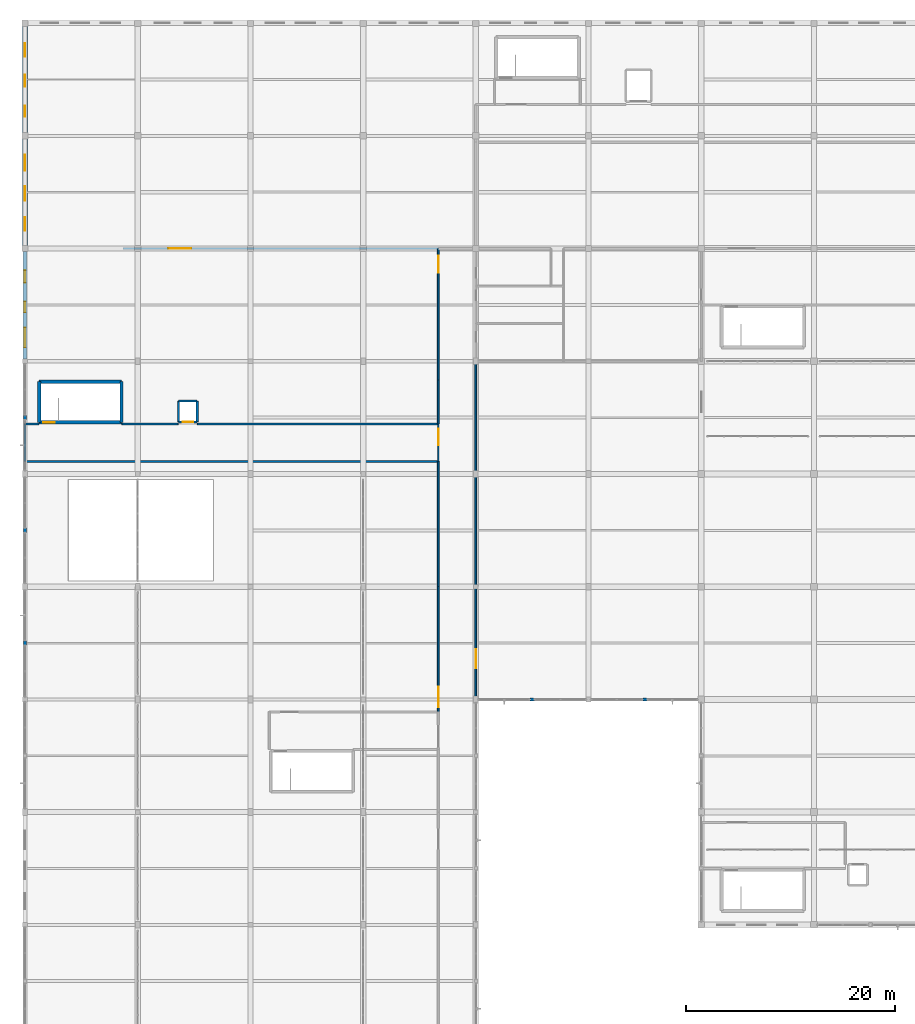
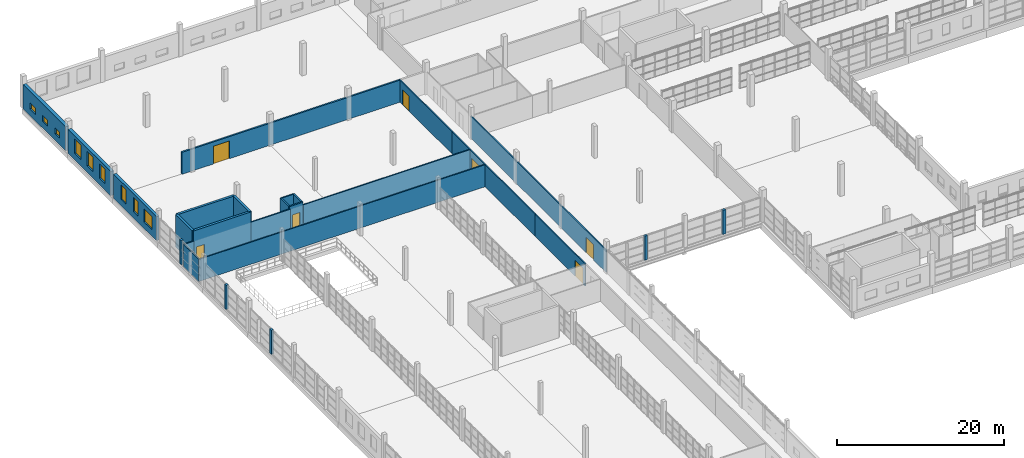
# One storey, part 106 of 142: 28 walls, 9 windows, 7 doors, 16 openings.
"""IFC4 building model written with IfcOpenShell, lengths in metres."""

from ifc_helpers import new_model, si_unit, direction, frame, frame_2d, origin, place, context, subcontext, project, spatial, rectangle, extrude, material, layer, layer_set, type_object, element, fill, save


model = new_model("IFC4")

# Units and contexts
model_context = context("Model", 3, precision=1e-05, world=origin(), true_north=direction((0.0, 1.0)))
body_context = subcontext(model_context, "Body", "Model", "MODEL_VIEW")
ifc_project = project(units=[si_unit("LENGTHUNIT", "METRE"), si_unit("AREAUNIT", "SQUARE_METRE"), si_unit("VOLUMEUNIT", "CUBIC_METRE"), si_unit("PLANEANGLEUNIT", "RADIAN"), si_unit("MASSUNIT", "GRAM", prefix="KILO")], contexts=[model_context])

# Site, building, storey
site_placement = place(None, origin())
site = spatial("IfcSite", under=ifc_project, at=site_placement, CompositionType="ELEMENT")
building_placement = place(site_placement, origin())
building = spatial("IfcBuilding", under=site, at=building_placement, Name="Zwinboog Wholesale Market", CompositionType="ELEMENT")
storey_placement = place(building_placement, frame((0.0, 0.0, 5.39990234375)))
storey = spatial("IfcBuildingStorey", under=building, at=storey_placement, Name="L01", CompositionType="ELEMENT", Elevation=5.39990234375)

# Wall, openings, windows
ifc_material_1 = material(Name="Precast concrete C45/55", Category="concrete")
ifc_layer_1 = layer(ifc_material_1, 0.389892578125)
ifc_layer_set_1 = layer_set([ifc_layer_1], Name="Precast concrete C45/55")
wall_type_1 = type_object("IfcWallType", Name="WT-EW-390", PredefinedType="STANDARD", material=ifc_layer_set_1)
wall_1_placement = place(storey_placement, frame((0.0, 97.419921875, 0.0), z_axis=(0.0, 0.0, 1.0), x_axis=(0.0, 1.0, 0.0)))
wall_1 = element("IfcWall", 1, at=wall_1_placement, inside=storey, type_object=wall_type_1, Name="EW-02 (WL-EW-L01-099)", PredefinedType="STANDARD", context=body_context, shape_type="SweptSolid", body=[
    extrude(rectangle(XDim=10.28515625, YDim=0.389892578125, at=frame_2d((5.142578125, 0.0))), origin(), (0.0, 0.0, 1.0), 3.530029296875),
])
opening_1_placement = place(wall_1_placement, frame((1.10498046875, 0.0, 0.949951171875)))
opening_1 = element("IfcOpeningElement", 2, at=opening_1_placement, cuts=wall_1, Name="Opening WN-64", PredefinedType="OPENING", context=body_context, shape_type="SweptSolid", body=[
    extrude(rectangle(XDim=1.889892578125, YDim=1.949951171875, at=frame_2d((0.94482421875, 0.97509765625))), frame((0.0, 0.204833984375, 0.0), z_axis=(0.0, -1.0, 0.0), x_axis=(1.0, 0.0, 0.0)), (0.0, 0.0, 1.0), 0.409912109375),
])
opening_2_placement = place(wall_1_placement, frame((4.455078125, 0.0, 0.949951171875)))
opening_2 = element("IfcOpeningElement", 3, at=opening_2_placement, cuts=wall_1, Name="Opening WN-65", PredefinedType="OPENING", context=body_context, shape_type="SweptSolid", body=[
    extrude(rectangle(XDim=1.050048828125, YDim=2.10009765625, at=frame_2d((0.52490234375, 1.050048828125))), frame((0.0, 0.204833984375, 0.0), z_axis=(0.0, -1.0, 0.0), x_axis=(1.0, 0.0, 0.0)), (0.0, 0.0, 1.0), 0.409912109375),
])
opening_3_placement = place(wall_1_placement, frame((7.324951171875, 0.0, 0.949951171875)))
opening_3 = element("IfcOpeningElement", 4, at=opening_3_placement, cuts=wall_1, Name="Opening WN-66", PredefinedType="OPENING", context=body_context, shape_type="SweptSolid", body=[
    extrude(rectangle(XDim=1.169921875, YDim=2.10009765625, at=frame_2d((0.5849609375, 1.050048828125))), frame((0.0, 0.204833984375, 0.0), z_axis=(0.0, -1.0, 0.0), x_axis=(1.0, 0.0, 0.0)), (0.0, 0.0, 1.0), 0.409912109375),
])
ifc_material_2 = material(Name="Thermally broken aluminium low-e window", Category="aluminium")
window_type_1 = type_object("IfcWindowType", Name="WNT-64", PartitioningType="SINGLE_PANEL", PredefinedType="WINDOW", material=ifc_material_2)
window_1_placement = place(opening_1_placement, origin())
window_1 = element("IfcWindow", 5, at=window_1_placement, inside=storey, type_object=window_type_1, Name="WN-64 (WIN-L01-0064)", OverallHeight=1.949951171875, OverallWidth=1.889892578125, PartitioningType="SINGLE_PANEL", PredefinedType="WINDOW", context=body_context, shape_type="SweptSolid", body=[
    extrude(rectangle(XDim=1.889892578125, YDim=1.949951171875, at=frame_2d((0.94482421875, 0.97509765625))), frame((0.0, 0.030029296875, 0.0), z_axis=(0.0, -1.0, 0.0), x_axis=(1.0, 0.0, 0.0)), (0.0, 0.0, 1.0), 0.06005859375),
])
fill(opening_1, window_1)
window_type_2 = type_object("IfcWindowType", Name="WNT-65", PartitioningType="SINGLE_PANEL", PredefinedType="WINDOW", material=ifc_material_2)
window_2_placement = place(opening_2_placement, origin())
window_2 = element("IfcWindow", 6, at=window_2_placement, inside=storey, type_object=window_type_2, Name="WN-65 (WIN-L01-0065)", OverallHeight=2.10009765625, OverallWidth=1.050048828125, PartitioningType="SINGLE_PANEL", PredefinedType="WINDOW", context=body_context, shape_type="SweptSolid", body=[
    extrude(rectangle(XDim=1.050048828125, YDim=2.10009765625, at=frame_2d((0.52490234375, 1.050048828125))), frame((0.0, 0.030029296875, 0.0), z_axis=(0.0, -1.0, 0.0), x_axis=(1.0, 0.0, 0.0)), (0.0, 0.0, 1.0), 0.06005859375),
])
fill(opening_2, window_2)
window_type_3 = type_object("IfcWindowType", Name="WNT-66", PartitioningType="SINGLE_PANEL", PredefinedType="WINDOW", material=ifc_material_2)
window_3_placement = place(opening_3_placement, origin())
window_3 = element("IfcWindow", 7, at=window_3_placement, inside=storey, type_object=window_type_3, Name="WN-66 (WIN-L01-0066)", OverallHeight=2.10009765625, OverallWidth=1.169921875, PartitioningType="SINGLE_PANEL", PredefinedType="WINDOW", context=body_context, shape_type="SweptSolid", body=[
    extrude(rectangle(XDim=1.169921875, YDim=2.10009765625, at=frame_2d((0.5849609375, 1.050048828125))), frame((0.0, 0.030029296875, 0.0), z_axis=(0.0, -1.0, 0.0), x_axis=(1.0, 0.0, 0.0)), (0.0, 0.0, 1.0), 0.06005859375),
])
fill(opening_3, window_3)

ifc_layer_2 = layer(ifc_material_1, 0.455078125)
ifc_layer_set_2 = layer_set([ifc_layer_2], Name="Precast concrete C45/55")
wall_type_2 = type_object("IfcWallType", Name="WT-EW-455", PredefinedType="STANDARD", material=ifc_layer_set_2)
wall_2_placement = place(storey_placement, frame((0.0, 108.294921875, 0.0), z_axis=(0.0, 0.0, 1.0), x_axis=(0.0, 1.0, 0.0)))
wall_2 = element("IfcWall", 8, at=wall_2_placement, inside=storey, type_object=wall_type_2, Name="EW-05 (WL-EW-L01-100)", PredefinedType="STANDARD", context=body_context, shape_type="SweptSolid", body=[
    extrude(rectangle(XDim=10.2099609375, YDim=0.455078125, at=frame_2d((5.10498046875, 0.0))), origin(), (0.0, 0.0, 1.0), 3.530029296875),
])
opening_4_placement = place(wall_2_placement, frame((1.405029296875, 0.0, 0.949951171875)))
opening_4 = element("IfcOpeningElement", 9, at=opening_4_placement, cuts=wall_2, Name="Opening WN-67", PredefinedType="OPENING", context=body_context, shape_type="SweptSolid", body=[
    extrude(rectangle(XDim=1.2900390625, YDim=2.10009765625, at=frame_2d((0.64501953125, 1.050048828125))), frame((0.0, 0.237548828125, 0.0), z_axis=(0.0, -1.0, 0.0), x_axis=(1.0, 0.0, 0.0)), (0.0, 0.0, 1.0), 0.47509765625),
])
opening_5_placement = place(wall_2_placement, frame((4.27490234375, 0.0, 0.949951171875)))
opening_5 = element("IfcOpeningElement", 10, at=opening_5_placement, cuts=wall_2, Name="Opening WN-68", PredefinedType="OPENING", context=body_context, shape_type="SweptSolid", body=[
    extrude(rectangle(XDim=1.409912109375, YDim=2.10009765625, at=frame_2d((0.705078125, 1.050048828125))), frame((0.0, 0.237548828125, 0.0), z_axis=(0.0, -1.0, 0.0), x_axis=(1.0, 0.0, 0.0)), (0.0, 0.0, 1.0), 0.47509765625),
])
opening_6_placement = place(wall_2_placement, frame((7.14501953125, 0.0, 0.949951171875)))
opening_6 = element("IfcOpeningElement", 11, at=opening_6_placement, cuts=wall_2, Name="Opening WN-69", PredefinedType="OPENING", context=body_context, shape_type="SweptSolid", body=[
    extrude(rectangle(XDim=1.530029296875, YDim=2.10009765625, at=frame_2d((0.76513671875, 1.050048828125))), frame((0.0, 0.237548828125, 0.0), z_axis=(0.0, -1.0, 0.0), x_axis=(1.0, 0.0, 0.0)), (0.0, 0.0, 1.0), 0.47509765625),
])
window_type_4 = type_object("IfcWindowType", Name="WNT-67", PartitioningType="SINGLE_PANEL", PredefinedType="WINDOW", material=ifc_material_2)
window_4_placement = place(opening_4_placement, origin())
window_4 = element("IfcWindow", 12, at=window_4_placement, inside=storey, type_object=window_type_4, Name="WN-67 (WIN-L01-0067)", OverallHeight=2.10009765625, OverallWidth=1.2900390625, PartitioningType="SINGLE_PANEL", PredefinedType="WINDOW", context=body_context, shape_type="SweptSolid", body=[
    extrude(rectangle(XDim=1.2900390625, YDim=2.10009765625, at=frame_2d((0.64501953125, 1.050048828125))), frame((0.0, 0.030029296875, 0.0), z_axis=(0.0, -1.0, 0.0), x_axis=(1.0, 0.0, 0.0)), (0.0, 0.0, 1.0), 0.06005859375),
])
fill(opening_4, window_4)
window_type_5 = type_object("IfcWindowType", Name="WNT-68", PartitioningType="SINGLE_PANEL", PredefinedType="WINDOW", material=ifc_material_2)
window_5_placement = place(opening_5_placement, origin())
window_5 = element("IfcWindow", 13, at=window_5_placement, inside=storey, type_object=window_type_5, Name="WN-68 (WIN-L01-0068)", OverallHeight=2.10009765625, OverallWidth=1.409912109375, PartitioningType="SINGLE_PANEL", PredefinedType="WINDOW", context=body_context, shape_type="SweptSolid", body=[
    extrude(rectangle(XDim=1.409912109375, YDim=2.10009765625, at=frame_2d((0.705078125, 1.050048828125))), frame((0.0, 0.030029296875, 0.0), z_axis=(0.0, -1.0, 0.0), x_axis=(1.0, 0.0, 0.0)), (0.0, 0.0, 1.0), 0.06005859375),
])
fill(opening_5, window_5)
window_type_6 = type_object("IfcWindowType", Name="WNT-69", PartitioningType="SINGLE_PANEL", PredefinedType="WINDOW", material=ifc_material_2)
window_6_placement = place(opening_6_placement, origin())
window_6 = element("IfcWindow", 14, at=window_6_placement, inside=storey, type_object=window_type_6, Name="WN-69 (WIN-L01-0069)", OverallHeight=2.10009765625, OverallWidth=1.530029296875, PartitioningType="SINGLE_PANEL", PredefinedType="WINDOW", context=body_context, shape_type="SweptSolid", body=[
    extrude(rectangle(XDim=1.530029296875, YDim=2.10009765625, at=frame_2d((0.76513671875, 1.050048828125))), frame((0.0, 0.030029296875, 0.0), z_axis=(0.0, -1.0, 0.0), x_axis=(1.0, 0.0, 0.0)), (0.0, 0.0, 1.0), 0.06005859375),
])
fill(opening_6, window_6)

wall_3_placement = place(storey_placement, frame((0.0, 119.094970703125, 0.0), z_axis=(0.0, 0.0, 1.0), x_axis=(0.0, 1.0, 0.0)))
wall_3 = element("IfcWall", 15, at=wall_3_placement, inside=storey, type_object=wall_type_2, Name="EW-05 (WL-EW-L01-102)", PredefinedType="STANDARD", context=body_context, shape_type="SweptSolid", body=[
    extrude(rectangle(XDim=10.2099609375, YDim=0.455078125, at=frame_2d((5.10498046875, 0.0))), origin(), (0.0, 0.0, 1.0), 3.530029296875),
])
opening_7_placement = place(wall_3_placement, frame((1.52490234375, 0.0, 0.949951171875)))
opening_7 = element("IfcOpeningElement", 16, at=opening_7_placement, cuts=wall_3, Name="Opening WN-01", PredefinedType="OPENING", context=body_context, shape_type="SweptSolid", body=[
    extrude(rectangle(XDim=1.050048828125, YDim=0.89990234375, at=frame_2d((0.52490234375, 0.449951171875))), frame((0.0, 0.237548828125, 0.0), z_axis=(0.0, -1.0, 0.0), x_axis=(1.0, 0.0, 0.0)), (0.0, 0.0, 1.0), 0.47509765625),
])
opening_8_placement = place(wall_3_placement, frame((4.39501953125, 0.0, 0.949951171875)))
opening_8 = element("IfcOpeningElement", 17, at=opening_8_placement, cuts=wall_3, Name="Opening WN-02", PredefinedType="OPENING", context=body_context, shape_type="SweptSolid", body=[
    extrude(rectangle(XDim=1.169921875, YDim=0.89990234375, at=frame_2d((0.5849609375, 0.449951171875))), frame((0.0, 0.237548828125, 0.0), z_axis=(0.0, -1.0, 0.0), x_axis=(1.0, 0.0, 0.0)), (0.0, 0.0, 1.0), 0.47509765625),
])
opening_9_placement = place(wall_3_placement, frame((7.264892578125, 0.0, 0.949951171875)))
opening_9 = element("IfcOpeningElement", 18, at=opening_9_placement, cuts=wall_3, Name="Opening WN-03", PredefinedType="OPENING", context=body_context, shape_type="SweptSolid", body=[
    extrude(rectangle(XDim=1.2900390625, YDim=0.89990234375, at=frame_2d((0.64501953125, 0.449951171875))), frame((0.0, 0.237548828125, 0.0), z_axis=(0.0, -1.0, 0.0), x_axis=(1.0, 0.0, 0.0)), (0.0, 0.0, 1.0), 0.47509765625),
])
window_type_7 = type_object("IfcWindowType", Name="WNT-01", PartitioningType="SINGLE_PANEL", PredefinedType="WINDOW", material=ifc_material_2)
window_7_placement = place(opening_7_placement, origin())
window_7 = element("IfcWindow", 19, at=window_7_placement, inside=storey, type_object=window_type_7, Name="WN-01 (WIN-L01-0073)", OverallHeight=0.89990234375, OverallWidth=1.050048828125, PartitioningType="SINGLE_PANEL", PredefinedType="WINDOW", context=body_context, shape_type="SweptSolid", body=[
    extrude(rectangle(XDim=1.050048828125, YDim=0.89990234375, at=frame_2d((0.52490234375, 0.449951171875))), frame((0.0, 0.030029296875, 0.0), z_axis=(0.0, -1.0, 0.0), x_axis=(1.0, 0.0, 0.0)), (0.0, 0.0, 1.0), 0.06005859375),
])
fill(opening_7, window_7)
window_type_8 = type_object("IfcWindowType", Name="WNT-02", PartitioningType="SINGLE_PANEL", PredefinedType="WINDOW", material=ifc_material_2)
window_8_placement = place(opening_8_placement, origin())
window_8 = element("IfcWindow", 20, at=window_8_placement, inside=storey, type_object=window_type_8, Name="WN-02 (WIN-L01-0074)", OverallHeight=0.89990234375, OverallWidth=1.169921875, PartitioningType="SINGLE_PANEL", PredefinedType="WINDOW", context=body_context, shape_type="SweptSolid", body=[
    extrude(rectangle(XDim=1.169921875, YDim=0.89990234375, at=frame_2d((0.5849609375, 0.449951171875))), frame((0.0, 0.030029296875, 0.0), z_axis=(0.0, -1.0, 0.0), x_axis=(1.0, 0.0, 0.0)), (0.0, 0.0, 1.0), 0.06005859375),
])
fill(opening_8, window_8)
window_type_9 = type_object("IfcWindowType", Name="WNT-03", PartitioningType="SINGLE_PANEL", PredefinedType="WINDOW", material=ifc_material_2)
window_9_placement = place(opening_9_placement, origin())
window_9 = element("IfcWindow", 21, at=window_9_placement, inside=storey, type_object=window_type_9, Name="WN-03 (WIN-L01-0075)", OverallHeight=0.89990234375, OverallWidth=1.2900390625, PartitioningType="SINGLE_PANEL", PredefinedType="WINDOW", context=body_context, shape_type="SweptSolid", body=[
    extrude(rectangle(XDim=1.2900390625, YDim=0.89990234375, at=frame_2d((0.64501953125, 0.449951171875))), frame((0.0, 0.030029296875, 0.0), z_axis=(0.0, -1.0, 0.0), x_axis=(1.0, 0.0, 0.0)), (0.0, 0.0, 1.0), 0.06005859375),
])
fill(opening_9, window_9)

# Walls
ifc_layer_3 = layer(ifc_material_1, 0.304931640625)
ifc_layer_set_3 = layer_set([ifc_layer_3], Name="Precast concrete C45/55")
wall_type_3 = type_object("IfcWallType", Name="WT-EW-305", PredefinedType="STANDARD", material=ifc_layer_set_3)
for number, where, z_axis, x_axis, name in (
    (22, (0.0, 70.0, 0.0), (0.0, 0.0, 1.0), (0.0, 1.0, 0.0), "EW-07 (WL-PIER-L01-096)"),
    (23, (0.0, 80.800048828125, 0.0), (0.0, 0.0, 1.0), (0.0, 1.0, 0.0), "EW-07 (WL-PIER-L01-097)"),
    (24, (0.0, 91.60009765625, 0.0), (0.0, 0.0, 1.0), (0.0, 1.0, 0.0), "EW-07 (WL-PIER-L01-098)"),
):
    element("IfcWall", number, at=place(storey_placement, frame(where, z_axis=z_axis, x_axis=x_axis)), inside=storey, type_object=wall_type_3, Name=name, PredefinedType="STANDARD", context=body_context, shape_type="SweptSolid", body=[
        extrude(rectangle(XDim=0.39990234375, YDim=0.304931640625, at=frame_2d((0.199951171875, 0.0))), origin(), (0.0, 0.0, 1.0), 3.530029296875),
    ])
for number, where, z_axis, x_axis, name in (
    (25, (48.39990234375, 64.800048828125, 0.0), (0.0, 0.0, 1.0), (1.0, 0.0, 0.0), "EW-07 (WL-PIER-L01-115)"),
    (26, (59.199951171875, 64.800048828125, 0.0), (0.0, 0.0, 1.0), (1.0, 0.0, 0.0), "EW-07 (WL-PIER-L01-117)"),
):
    element("IfcWall", number, at=place(storey_placement, frame(where, z_axis=z_axis, x_axis=x_axis)), inside=storey, type_object=wall_type_3, Name=name, PredefinedType="STANDARD", context=body_context, shape_type="SweptSolid", body=[
        extrude(rectangle(XDim=0.400146484375, YDim=0.304931640625, at=frame_2d((0.2001953125, 0.0))), origin(), (0.0, 0.0, 1.0), 3.530029296875),
    ])

# Wall, opening, door
ifc_material_3 = material(Name="Concrete C40/50", Category="concrete")
ifc_layer_4 = layer(ifc_material_3, 0.320068359375)
ifc_layer_set_4 = layer_set([ifc_layer_4], Name="Concrete C40/50")
wall_type_4 = type_object("IfcWallType", Name="WT-SW-320", PredefinedType="SHEAR", material=ifc_layer_set_4)
wall_4_placement = place(storey_placement, frame((1.35009765625, 91.35009765625, 0.0), z_axis=(0.0, 0.0, 1.0), x_axis=(1.0, 0.0, 0.0)))
wall_4 = element("IfcWall", 27, at=wall_4_placement, inside=storey, type_object=wall_type_4, Name="SW-03 (WL-SW-L01-013)", PredefinedType="SHEAR", context=body_context, shape_type="SweptSolid", body=[
    extrude(rectangle(XDim=7.89990234375, YDim=0.320068359375, at=frame_2d((3.949951171875, 0.0))), origin(), (0.0, 0.0, 1.0), 4.68017578125),
])
opening_10_placement = place(wall_4_placement, frame((0.3798828125, 0.0, 0.0)))
opening_10 = element("IfcOpeningElement", 28, at=opening_10_placement, cuts=wall_4, Name="Opening FD-0004", PredefinedType="OPENING", context=body_context, shape_type="SweptSolid", body=[
    extrude(rectangle(XDim=1.10009765625, YDim=2.199951171875, at=frame_2d((0.550048828125, 1.10009765625))), frame((0.0, 0.169921875, 0.0), z_axis=(0.0, -1.0, 0.0), x_axis=(1.0, 0.0, 0.0)), (0.0, 0.0, 1.0), 0.340087890625),
])
ifc_material_4 = material(Name="Timber and powder-coated steel door leaf", Category="steel")
door_type_1 = type_object("IfcDoorType", Name="IDT-FD-02", OperationType="NOTDEFINED", PredefinedType="DOOR", material=ifc_material_4)
door_1_placement = place(opening_10_placement, frame((1.10009765625, 0.0, 0.0), z_axis=(0.0, 0.0, 1.0), x_axis=(-1.0, 0.0, 0.0)))
door_1 = element("IfcDoor", 29, at=door_1_placement, inside=storey, type_object=door_type_1, Name="Core Fire Door FD-0004", OperationType="SINGLE_SWING_LEFT", OverallHeight=2.199951171875, OverallWidth=1.10009765625, PredefinedType="DOOR", context=body_context, shape_type="SweptSolid", body=[
    extrude(rectangle(XDim=1.10009765625, YDim=2.199951171875, at=frame_2d((0.550048828125, 1.10009765625))), frame((0.0, 0.02490234375, 0.0), z_axis=(0.0, -1.0, 0.0), x_axis=(1.0, 0.0, 0.0)), (0.0, 0.0, 1.0), 0.050048828125),
])
fill(opening_10, door_1)

# Walls
wall_5_placement = place(storey_placement, frame((1.35009765625, 95.25, 0.0), z_axis=(0.0, 0.0, 1.0), x_axis=(1.0, 0.0, 0.0)))
element("IfcWall", 30, at=wall_5_placement, inside=storey, type_object=wall_type_4, Name="SW-03 (WL-SW-L01-014)", PredefinedType="SHEAR", context=body_context, shape_type="SweptSolid", body=[
    extrude(rectangle(XDim=7.89990234375, YDim=0.320068359375, at=frame_2d((3.949951171875, 0.0))), origin(), (0.0, 0.0, 1.0), 4.68017578125),
])
for number, where, z_axis, x_axis, name in (
    (31, (1.35009765625, 91.35009765625, 0.0), (0.0, 0.0, 1.0), (0.0, 1.0, 0.0), "SW-03 (WL-SW-L01-015)"),
    (32, (9.25, 91.35009765625, 0.0), (0.0, 0.0, 1.0), (0.0, 1.0, 0.0), "SW-03 (WL-SW-L01-016)"),
):
    element("IfcWall", number, at=place(storey_placement, frame(where, z_axis=z_axis, x_axis=x_axis)), inside=storey, type_object=wall_type_4, Name=name, PredefinedType="SHEAR", context=body_context, shape_type="SweptSolid", body=[
        extrude(rectangle(XDim=3.89990234375, YDim=0.320068359375, at=frame_2d((1.949951171875, 0.0))), origin(), (0.0, 0.0, 1.0), 4.68017578125),
    ])

# Wall, opening, door
ifc_layer_5 = layer(ifc_material_1, 0.199951171875)
ifc_layer_set_5 = layer_set([ifc_layer_5], Name="Precast concrete C45/55")
wall_type_5 = type_object("IfcWallType", Name="WT-IW-200", PredefinedType="SOLIDWALL", material=ifc_layer_set_5)
wall_6_placement = place(storey_placement, frame((14.699951171875, 91.39990234375, 0.0), z_axis=(0.0, 0.0, 1.0), x_axis=(1.0, 0.0, 0.0)))
wall_6 = element("IfcWall", 33, at=wall_6_placement, inside=storey, type_object=wall_type_5, Name="IW-60 (WL-LSH-L01-181)", PredefinedType="SOLIDWALL", context=body_context, shape_type="SweptSolid", body=[
    extrude(rectangle(XDim=1.800048828125, YDim=0.199951171875, at=frame_2d((0.89990234375, 0.0))), origin(), (0.0, 0.0, 1.0), 3.5),
])
opening_11_placement = place(wall_6_placement, frame((0.39990234375, 0.0, 0.0)))
opening_11 = element("IfcOpeningElement", 34, at=opening_11_placement, cuts=wall_6, Name="Opening LD-004", PredefinedType="OPENING", context=body_context, shape_type="SweptSolid", body=[
    extrude(rectangle(XDim=1.0, YDim=2.14990234375, at=frame_2d((0.5, 1.074951171875))), frame((0.0, 0.10986328125, 0.0), z_axis=(0.0, -1.0, 0.0), x_axis=(1.0, 0.0, 0.0)), (0.0, 0.0, 1.0), 0.219970703125),
])
door_type_2 = type_object("IfcDoorType", Name="IDT-LD-100", OperationType="DOUBLE_DOOR_SLIDING", PredefinedType="DOOR", material=ifc_material_4)
door_2_placement = place(opening_11_placement, origin())
door_2 = element("IfcDoor", 35, at=door_2_placement, inside=storey, type_object=door_type_2, Name="Lift Landing Door LD-004 (LP-02)", OperationType="DOUBLE_DOOR_SLIDING", OverallHeight=2.14990234375, OverallWidth=1.0, PredefinedType="DOOR", context=body_context, shape_type="SweptSolid", body=[
    extrude(rectangle(XDim=1.0, YDim=2.14990234375, at=frame_2d((0.5, 1.074951171875))), frame((0.0, 0.02490234375, 0.0), z_axis=(0.0, -1.0, 0.0), x_axis=(1.0, 0.0, 0.0)), (0.0, 0.0, 1.0), 0.050048828125),
])
fill(opening_11, door_2)

# Walls
wall_7_placement = place(storey_placement, frame((14.699951171875, 93.39990234375, 0.0), z_axis=(0.0, 0.0, 1.0), x_axis=(1.0, 0.0, 0.0)))
element("IfcWall", 36, at=wall_7_placement, inside=storey, type_object=wall_type_5, Name="IW-60 (WL-LSH-L01-182)", PredefinedType="SOLIDWALL", context=body_context, shape_type="SweptSolid", body=[
    extrude(rectangle(XDim=1.800048828125, YDim=0.199951171875, at=frame_2d((0.89990234375, 0.0))), origin(), (0.0, 0.0, 1.0), 3.5),
])
for number, where, z_axis, x_axis, name in (
    (37, (14.699951171875, 91.39990234375, 0.0), (0.0, 0.0, 1.0), (0.0, 1.0, 0.0), "IW-60 (WL-LSH-L01-183)"),
    (38, (16.5, 91.39990234375, 0.0), (0.0, 0.0, 1.0), (0.0, 1.0, 0.0), "IW-60 (WL-LSH-L01-184)"),
):
    element("IfcWall", number, at=place(storey_placement, frame(where, z_axis=z_axis, x_axis=x_axis)), inside=storey, type_object=wall_type_5, Name=name, PredefinedType="SOLIDWALL", context=body_context, shape_type="SweptSolid", body=[
        extrude(rectangle(XDim=2.0, YDim=0.199951171875, at=frame_2d((1.0, 0.0))), origin(), (0.0, 0.0, 1.0), 3.5),
    ])

# Wall, opening, door
ifc_layer_6 = layer(ifc_material_1, 0.215087890625)
ifc_layer_set_6 = layer_set([ifc_layer_6], Name="Precast concrete C45/55")
wall_type_6 = type_object("IfcWallType", Name="WT-IW-215", PredefinedType="PARTITIONING", material=ifc_layer_set_6)
wall_8_placement = place(storey_placement, frame((9.39990234375, 108.0, 0.0), z_axis=(0.0, 0.0, 1.0), x_axis=(1.0, 0.0, 0.0)))
wall_8 = element("IfcWall", 39, at=wall_8_placement, inside=storey, type_object=wall_type_6, Name="IW-02 (WL-IN-L01-0131)", PredefinedType="PARTITIONING", context=body_context, shape_type="SweptSolid", body=[
    extrude(rectangle(XDim=30.2001953125, YDim=0.215087890625, at=frame_2d((15.10009765625, 0.0))), origin(), (0.0, 0.0, 1.0), 3.22998046875),
])
opening_12_placement = place(wall_8_placement, frame((4.325927734375, 0.0, 0.0)))
opening_12 = element("IfcOpeningElement", 40, at=opening_12_placement, cuts=wall_8, Name="Opening IDF-0062", PredefinedType="OPENING", context=body_context, shape_type="SweptSolid", body=[
    extrude(rectangle(XDim=2.219970703125, YDim=2.60009765625, at=frame_2d((1.10986328125, 1.300048828125))), frame((0.0, 0.117431640625, 0.0), z_axis=(0.0, -1.0, 0.0), x_axis=(1.0, 0.0, 0.0)), (0.0, 0.0, 1.0), 0.235107421875),
])
door_type_3 = type_object("IfcDoorType", Name="IDT-CS-02", OperationType="SLIDING_TO_RIGHT", PredefinedType="DOOR", material=ifc_material_4)
door_3_placement = place(opening_12_placement, origin())
door_3 = element("IfcDoor", 41, at=door_3_placement, inside=storey, type_object=door_type_3, Name="Interior Door IDF-0062", OperationType="SLIDING_TO_RIGHT", OverallHeight=2.60009765625, OverallWidth=2.219970703125, PredefinedType="DOOR", context=body_context, shape_type="SweptSolid", body=[
    extrude(rectangle(XDim=2.219970703125, YDim=2.60009765625, at=frame_2d((1.10986328125, 1.300048828125))), frame((0.0, 0.02490234375, 0.0), z_axis=(0.0, -1.0, 0.0), x_axis=(1.0, 0.0, 0.0)), (0.0, 0.0, 1.0), 0.050048828125),
])
fill(opening_12, door_3)

ifc_material_5 = material(Name="Fire-rated corridor stud partition")
ifc_layer_7 = layer(ifc_material_5, 0.154052734375)
ifc_layer_set_7 = layer_set([ifc_layer_7], Name="Fire-rated corridor stud partition")
wall_type_7 = type_object("IfcWallType", Name="WT-PT-154", PredefinedType="PARTITIONING", material=ifc_layer_set_7)
wall_9_placement = place(storey_placement, frame((39.60009765625, 63.60009765625, 0.0), z_axis=(0.0, 0.0, 1.0), x_axis=(0.0, 1.0, 0.0)))
wall_9 = element("IfcWall", 42, at=wall_9_placement, inside=storey, type_object=wall_type_7, Name="PW-04 (WL-IN-L01-0117)", PredefinedType="PARTITIONING", context=body_context, shape_type="SweptSolid", body=[
    extrude(rectangle(XDim=12.0, YDim=0.154052734375, at=frame_2d((6.0, 0.0))), origin(), (0.0, 0.0, 1.0), 3.22998046875),
])
opening_13_placement = place(wall_9_placement, frame((0.4599609375, 0.0, 0.0)))
opening_13 = element("IfcOpeningElement", 43, at=opening_13_placement, cuts=wall_9, Name="Opening IDF-0048", PredefinedType="OPENING", context=body_context, shape_type="SweptSolid", body=[
    extrude(rectangle(XDim=1.9599609375, YDim=2.300048828125, at=frame_2d((0.97998046875, 1.14990234375))), frame((0.0, 0.0869140625, 0.0), z_axis=(0.0, -1.0, 0.0), x_axis=(1.0, 0.0, 0.0)), (0.0, 0.0, 1.0), 0.174072265625),
])
door_type_4 = type_object("IfcDoorType", Name="IDT-FD-05", OperationType="DOUBLE_DOOR_SINGLE_SWING", PredefinedType="DOOR", material=ifc_material_4)
door_4_placement = place(opening_13_placement, frame((1.9599609375, 0.0, 0.0), z_axis=(0.0, 0.0, 1.0), x_axis=(-1.0, 0.0, 0.0)))
door_4 = element("IfcDoor", 44, at=door_4_placement, inside=storey, type_object=door_type_4, Name="Interior Door IDF-0048", OperationType="DOUBLE_DOOR_SINGLE_SWING", OverallHeight=2.300048828125, OverallWidth=1.9599609375, PredefinedType="DOOR", context=body_context, shape_type="SweptSolid", body=[
    extrude(rectangle(XDim=1.9599609375, YDim=2.300048828125, at=frame_2d((0.97998046875, 1.14990234375))), frame((0.0, 0.02490234375, 0.0), z_axis=(0.0, -1.0, 0.0), x_axis=(1.0, 0.0, 0.0)), (0.0, 0.0, 1.0), 0.050048828125),
])
fill(opening_13, door_4)

wall_10_placement = place(storey_placement, frame((39.60009765625, 95.39990234375, 0.0), z_axis=(0.0, 0.0, 1.0), x_axis=(0.0, 1.0, 0.0)))
wall_10 = element("IfcWall", 45, at=wall_10_placement, inside=storey, type_object=wall_type_7, Name="PW-04 (WL-IN-L01-0119)", PredefinedType="PARTITIONING", context=body_context, shape_type="SweptSolid", body=[
    extrude(rectangle(XDim=12.60009765625, YDim=0.154052734375, at=frame_2d((6.300048828125, 0.0))), origin(), (0.0, 0.0, 1.0), 3.22998046875),
])
opening_14_placement = place(wall_10_placement, frame((10.2880859375, 0.0, 0.0)))
opening_14 = element("IfcOpeningElement", 46, at=opening_14_placement, cuts=wall_10, Name="Opening IDF-0050", PredefinedType="OPENING", context=body_context, shape_type="SweptSolid", body=[
    extrude(rectangle(XDim=1.60009765625, YDim=2.199951171875, at=frame_2d((0.800048828125, 1.10009765625))), frame((0.0, 0.0869140625, 0.0), z_axis=(0.0, -1.0, 0.0), x_axis=(1.0, 0.0, 0.0)), (0.0, 0.0, 1.0), 0.174072265625),
])
door_type_5 = type_object("IfcDoorType", Name="IDT-FD-03", OperationType="DOUBLE_DOOR_SINGLE_SWING", PredefinedType="DOOR", material=ifc_material_4)
door_5_placement = place(opening_14_placement, origin())
door_5 = element("IfcDoor", 47, at=door_5_placement, inside=storey, type_object=door_type_5, Name="Interior Door IDF-0050", OperationType="DOUBLE_DOOR_SINGLE_SWING", OverallHeight=2.199951171875, OverallWidth=1.60009765625, PredefinedType="DOOR", context=body_context, shape_type="SweptSolid", body=[
    extrude(rectangle(XDim=1.60009765625, YDim=2.199951171875, at=frame_2d((0.800048828125, 1.10009765625))), frame((0.0, 0.02490234375, 0.0), z_axis=(0.0, -1.0, 0.0), x_axis=(1.0, 0.0, 0.0)), (0.0, 0.0, 1.0), 0.050048828125),
])
fill(opening_14, door_5)

# Walls
wall_11_placement = place(storey_placement, frame((0.0, 87.60009765625, 0.0), z_axis=(0.0, 0.0, 1.0), x_axis=(0.0, 1.0, 0.0)))
element("IfcWall", 48, at=wall_11_placement, inside=storey, type_object=wall_type_7, Name="PW-04 (WL-IN-L01-0155)", PredefinedType="PARTITIONING", context=body_context, shape_type="SweptSolid", body=[
    extrude(rectangle(XDim=3.599853515625, YDim=0.154052734375, at=frame_2d((1.7998046875, 0.0))), origin(), (0.0, 0.0, 1.0), 3.22998046875),
])
wall_12_placement = place(storey_placement, frame((39.60009765625, 75.60009765625, 0.0), z_axis=(0.0, 0.0, 1.0), x_axis=(0.0, 1.0, 0.0)))
element("IfcWall", 49, at=wall_12_placement, inside=storey, type_object=wall_type_7, Name="PW-04 (WL-IN-L01-0169)", PredefinedType="PARTITIONING", context=body_context, shape_type="SweptSolid", body=[
    extrude(rectangle(XDim=12.0, YDim=0.154052734375, at=frame_2d((6.0, 0.0))), origin(), (0.0, 0.0, 1.0), 3.22998046875),
])

# Wall, opening, door
ifc_material_6 = material(Name="Laboratory acoustic partition")
ifc_layer_8 = layer(ifc_material_6, 0.16796875)
ifc_layer_set_8 = layer_set([ifc_layer_8], Name="Laboratory acoustic partition")
wall_type_8 = type_object("IfcWallType", Name="WT-PT-168", PredefinedType="PARTITIONING", material=ifc_layer_set_8)
wall_13_placement = place(storey_placement, frame((39.60009765625, 87.60009765625, 0.0), z_axis=(0.0, 0.0, 1.0), x_axis=(0.0, 1.0, 0.0)))
wall_13 = element("IfcWall", 50, at=wall_13_placement, inside=storey, type_object=wall_type_8, Name="PW-05 (WL-IN-L01-0118)", PredefinedType="PARTITIONING", context=body_context, shape_type="SweptSolid", body=[
    extrude(rectangle(XDim=3.599853515625, YDim=0.16796875, at=frame_2d((1.7998046875, 0.0))), origin(), (0.0, 0.0, 1.0), 3.22998046875),
])
opening_15_placement = place(wall_13_placement, frame((1.5400390625, 0.0, 0.0)))
opening_15 = element("IfcOpeningElement", 51, at=opening_15_placement, cuts=wall_13, Name="Opening IDF-0049", PredefinedType="OPENING", context=body_context, shape_type="SweptSolid", body=[
    extrude(rectangle(XDim=1.60009765625, YDim=2.199951171875, at=frame_2d((0.800048828125, 1.10009765625))), frame((0.0, 0.093994140625, 0.0), z_axis=(0.0, -1.0, 0.0), x_axis=(1.0, 0.0, 0.0)), (0.0, 0.0, 1.0), 0.18798828125),
])
door_6_placement = place(opening_15_placement, origin())
door_6 = element("IfcDoor", 52, at=door_6_placement, inside=storey, type_object=door_type_5, Name="Interior Door IDF-0049", OperationType="DOUBLE_DOOR_SINGLE_SWING", OverallHeight=2.199951171875, OverallWidth=1.60009765625, PredefinedType="DOOR", context=body_context, shape_type="SweptSolid", body=[
    extrude(rectangle(XDim=1.60009765625, YDim=2.199951171875, at=frame_2d((0.800048828125, 1.10009765625))), frame((0.0, 0.02490234375, 0.0), z_axis=(0.0, -1.0, 0.0), x_axis=(1.0, 0.0, 0.0)), (0.0, 0.0, 1.0), 0.050048828125),
])
fill(opening_15, door_6)

wall_14_placement = place(storey_placement, frame((43.199951171875, 64.800048828125, 0.0), z_axis=(0.0, 0.0, 1.0), x_axis=(0.0, 1.0, 0.0)))
wall_14 = element("IfcWall", 53, at=wall_14_placement, inside=storey, type_object=wall_type_8, Name="PW-05 (WL-IN-L01-0120)", PredefinedType="PARTITIONING", context=body_context, shape_type="SweptSolid", body=[
    extrude(rectangle(XDim=32.39990234375, YDim=0.16796875, at=frame_2d((16.199951171875, 0.0))), origin(), (0.0, 0.0, 1.0), 3.22998046875),
])
opening_16_placement = place(wall_14_placement, frame((2.97802734375, 0.0, 0.0)))
opening_16 = element("IfcOpeningElement", 54, at=opening_16_placement, cuts=wall_14, Name="Opening IDF-0051", PredefinedType="OPENING", context=body_context, shape_type="SweptSolid", body=[
    extrude(rectangle(XDim=1.820068359375, YDim=2.25, at=frame_2d((0.91015625, 1.125))), frame((0.0, 0.093994140625, 0.0), z_axis=(0.0, -1.0, 0.0), x_axis=(1.0, 0.0, 0.0)), (0.0, 0.0, 1.0), 0.18798828125),
])
door_type_6 = type_object("IfcDoorType", Name="IDT-FD-04", OperationType="DOUBLE_DOOR_SINGLE_SWING", PredefinedType="DOOR", material=ifc_material_4)
door_7_placement = place(opening_16_placement, frame((1.820068359375, 0.0, 0.0), z_axis=(0.0, 0.0, 1.0), x_axis=(-1.0, 0.0, 0.0)))
door_7 = element("IfcDoor", 55, at=door_7_placement, inside=storey, type_object=door_type_6, Name="Interior Door IDF-0051", OperationType="DOUBLE_DOOR_SINGLE_SWING", OverallHeight=2.25, OverallWidth=1.820068359375, PredefinedType="DOOR", context=body_context, shape_type="SweptSolid", body=[
    extrude(rectangle(XDim=1.820068359375, YDim=2.25, at=frame_2d((0.91015625, 1.125))), frame((0.0, 0.02490234375, 0.0), z_axis=(0.0, -1.0, 0.0), x_axis=(1.0, 0.0, 0.0)), (0.0, 0.0, 1.0), 0.050048828125),
])
fill(opening_16, door_7)

# Walls
wall_15_placement = place(storey_placement, frame((0.0, 87.60009765625, 0.0), z_axis=(0.0, 0.0, 1.0), x_axis=(1.0, 0.0, 0.0)))
element("IfcWall", 56, at=wall_15_placement, inside=storey, type_object=wall_type_8, Name="PW-05 (WL-IN-L01-0154)", PredefinedType="PARTITIONING", context=body_context, shape_type="SweptSolid", body=[
    extrude(rectangle(XDim=39.60009765625, YDim=0.16796875, at=frame_2d((19.800048828125, 0.0))), origin(), (0.0, 0.0, 1.0), 3.22998046875),
])
wall_16_placement = place(storey_placement, frame((0.0, 91.199951171875, 0.0), z_axis=(0.0, 0.0, 1.0), x_axis=(1.0, 0.0, 0.0)))
element("IfcWall", 57, at=wall_16_placement, inside=storey, type_object=wall_type_8, Name="PW-05 (WL-IN-L01-0156)", PredefinedType="PARTITIONING", context=body_context, shape_type="SweptSolid", body=[
    extrude(rectangle(XDim=1.330078125, YDim=0.16796875, at=frame_2d((0.6650390625, 0.0))), origin(), (0.0, 0.0, 1.0), 3.22998046875),
])
wall_17_placement = place(storey_placement, frame((9.27001953125, 91.199951171875, 0.0), z_axis=(0.0, 0.0, 1.0), x_axis=(1.0, 0.0, 0.0)))
element("IfcWall", 58, at=wall_17_placement, inside=storey, type_object=wall_type_8, Name="PW-05 (WL-IN-L01-0157)", PredefinedType="PARTITIONING", context=body_context, shape_type="SweptSolid", body=[
    extrude(rectangle(XDim=5.409912109375, YDim=0.16796875, at=frame_2d((2.705078125, 0.0))), origin(), (0.0, 0.0, 1.0), 3.22998046875),
])
wall_18_placement = place(storey_placement, frame((16.52001953125, 91.199951171875, 0.0), z_axis=(0.0, 0.0, 1.0), x_axis=(1.0, 0.0, 0.0)))
element("IfcWall", 59, at=wall_18_placement, inside=storey, type_object=wall_type_8, Name="PW-05 (WL-IN-L01-0158)", PredefinedType="PARTITIONING", context=body_context, shape_type="SweptSolid", body=[
    extrude(rectangle(XDim=23.080078125, YDim=0.16796875, at=frame_2d((11.5400390625, 0.0))), origin(), (0.0, 0.0, 1.0), 3.22998046875),
])
wall_19_placement = place(storey_placement, frame((39.60009765625, 91.199951171875, 0.0), z_axis=(0.0, 0.0, 1.0), x_axis=(0.0, 1.0, 0.0)))
element("IfcWall", 60, at=wall_19_placement, inside=storey, type_object=wall_type_8, Name="PW-05 (WL-IN-L01-0170)", PredefinedType="PARTITIONING", context=body_context, shape_type="SweptSolid", body=[
    extrude(rectangle(XDim=4.199951171875, YDim=0.16796875, at=frame_2d((2.10009765625, 0.0))), origin(), (0.0, 0.0, 1.0), 3.22998046875),
])

save(model, "model.ifc")
